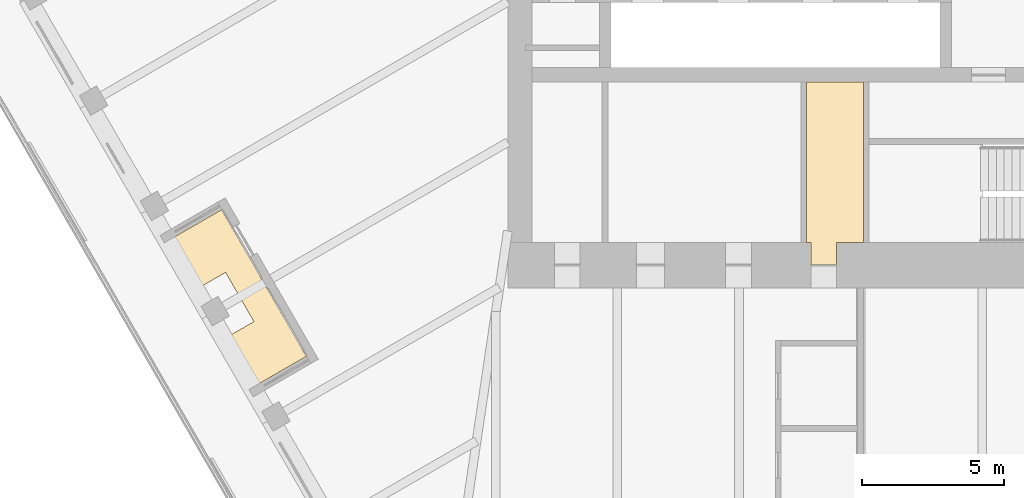
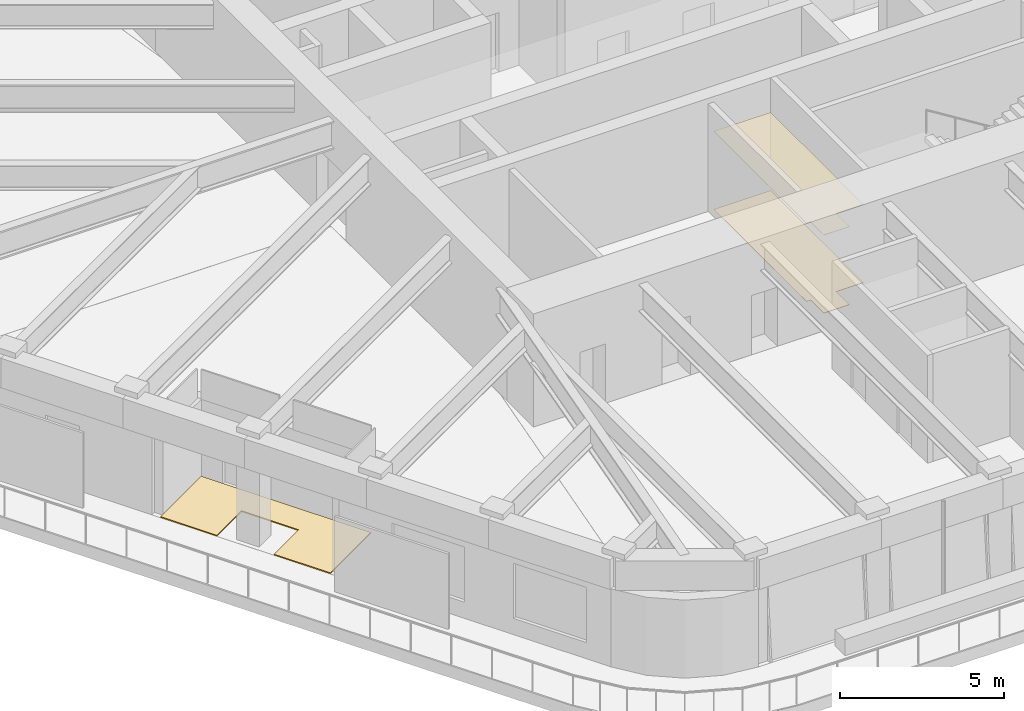
# One storey, part 17 of 19: 3 coverings.
"""IFC4 building model written with IfcOpenShell, lengths in metres."""

from ifc_helpers import new_model, si_unit, direction, frame, origin, place, context, subcontext, project, spatial, polyline, outline, extrude, material, layer, layer_set, type_object, element, save


model = new_model("IFC4")

# Units and contexts
model_context = context("Model", 3, precision=1e-05, world=origin(), true_north=direction((0.0, 1.0)))
body_context = subcontext(model_context, "Body", "Model", "MODEL_VIEW")
ifc_project = project(units=[si_unit("LENGTHUNIT", "METRE"), si_unit("AREAUNIT", "SQUARE_METRE"), si_unit("VOLUMEUNIT", "CUBIC_METRE"), si_unit("PLANEANGLEUNIT", "RADIAN"), si_unit("MASSUNIT", "GRAM", prefix="KILO")], contexts=[model_context])

# Site, building, storey
site_placement = place(None, origin())
site = spatial("IfcSite", under=ifc_project, at=site_placement, CompositionType="ELEMENT")
building_placement = place(site_placement, origin())
building = spatial("IfcBuilding", under=site, at=building_placement, Name="Tarfa Lantern Tower", CompositionType="ELEMENT")
storey_placement = place(building_placement, frame((0.0, 0.0, 374.5)))
storey = spatial("IfcBuildingStorey", under=building, at=storey_placement, Name="L85", CompositionType="ELEMENT", Elevation=374.5)

# Coverings
ifc_material_1 = material(Name="Moisture-resistant plasterboard", Category="finish")
ifc_layer_1 = layer(ifc_material_1, 0.014892578125)
ifc_layer_set_1 = layer_set([ifc_layer_1], Name="CL2 MOISTURE-RESISTANT PLASTERBOARD CEILING 15")
covering_type_1 = type_object("IfcCoveringType", Name="CL2 MOISTURE-RESISTANT PLASTERBOARD CEILING 15", PredefinedType="CEILING", material=ifc_layer_set_1)
covering_1_placement = place(storey_placement, frame((0.0, 0.0, 2.89990234375)))
element("IfcCovering", 1, at=covering_1_placement, inside=storey, type_object=covering_type_1, Name="Ceiling L85-13", PredefinedType="CEILING", context=body_context, shape_type="SweptSolid", body=[
    extrude(outline(polyline([(-0.85009765625, -10.699951171875), (0.10009765625, -10.699951171875), (0.10009765625, -5.050048828125), (-1.89990234375, -5.050048828125), (-1.89990234375, -10.699951171875), (-1.75, -10.699951171875), (-1.75, -11.5), (-1.75, -11.5), (-0.85009765625, -11.5), (-0.85009765625, -10.699951171875)])), origin(), (0.0, 0.0, 1.0), 0.01513671875),
])
ifc_material_2 = material(Name="Porcelain floor tile", Category="finish")
ifc_layer_2 = layer(ifc_material_2, 0.011962890625)
ifc_layer_set_2 = layer_set([ifc_layer_2], Name="FL3 CERAMIC TILE 12")
covering_type_2 = type_object("IfcCoveringType", Name="FL3 CERAMIC TILE 12", PredefinedType="FLOORING", material=ifc_layer_set_2)
covering_2_placement = place(storey_placement, origin())
element("IfcCovering", 2, at=covering_2_placement, inside=storey, type_object=covering_type_2, Name="Floor finish L85-13", PredefinedType="FLOORING", context=body_context, shape_type="SweptSolid", body=[
    extrude(outline(polyline([(-0.85009765625, -10.699951171875), (0.10009765625, -10.699951171875), (0.10009765625, -5.050048828125), (-1.89990234375, -5.050048828125), (-1.89990234375, -10.699951171875), (-1.75, -10.699951171875), (-1.75, -11.5), (-1.75, -11.5), (-0.85009765625, -11.5), (-0.85009765625, -10.699951171875)])), origin(), (0.0, 0.0, 1.0), 0.011962890625),
])
ifc_material_3 = material(Name="Porcelain pavers on pedestals", Category="ceramic")
ifc_layer_3 = layer(ifc_material_3, 0.0400390625)
ifc_layer_set_3 = layer_set([ifc_layer_3], Name="LP1 LOGGIA PAVING 40")
covering_type_3 = type_object("IfcCoveringType", Name="LP1 LOGGIA PAVING 40", PredefinedType="FLOORING", material=ifc_layer_set_3)
covering_3_placement = place(storey_placement, origin())
element("IfcCovering", 3, at=covering_3_placement, inside=storey, type_object=covering_type_3, Name="Terrace paving SW", PredefinedType="FLOORING", context=body_context, shape_type="SweptSolid", body=[
    extrude(outline(polyline([(-24.6572265625, -10.79248046875), (-22.509521484375, -9.552490234375), (-19.52734375, -14.717529296875), (-21.67529296875, -15.95751953125), (-22.666259765625, -14.240966796875), (-21.3671875, -13.490966796875), (-22.3671875, -11.759033203125), (-23.666259765625, -12.509033203125), (-24.6572265625, -10.79248046875)])), origin(), (0.0, 0.0, 1.0), 0.0400390625),
])

save(model, "model.ifc")
